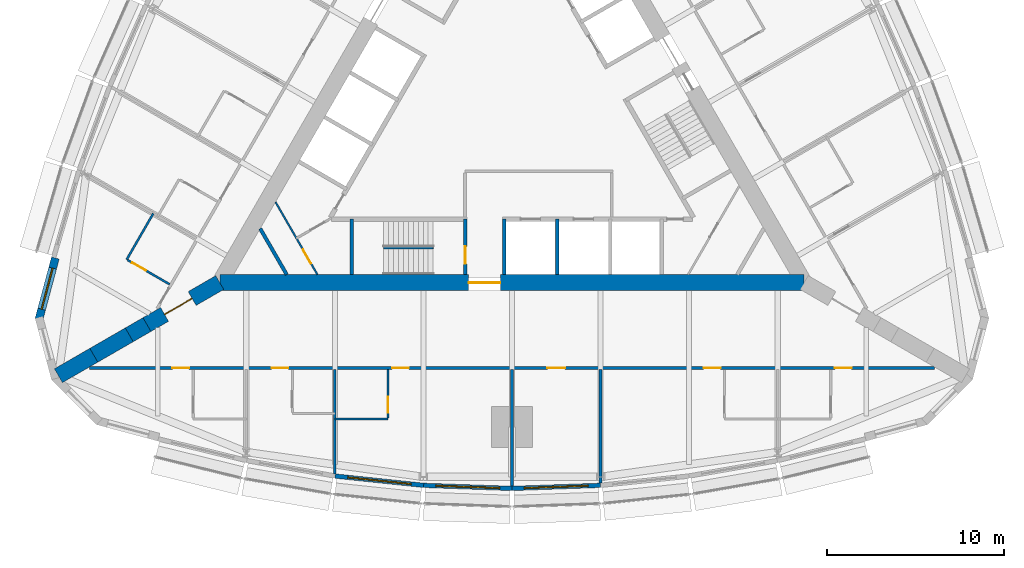
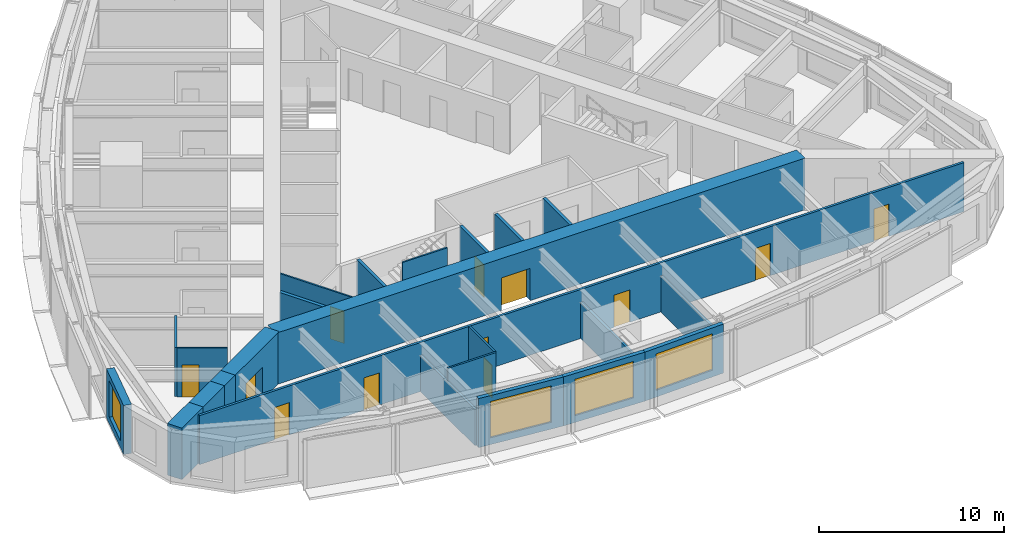
# One storey, part 8 of 14: 24 walls, 12 doors, 4 windows, 16 openings.
"""IFC4 building model written with IfcOpenShell, lengths in metres."""

from ifc_helpers import new_model, si_unit, direction, frame, frame_2d, origin, place, context, subcontext, project, spatial, rectangle, extrude, material, layer, layer_set, type_object, element, fill, save


model = new_model("IFC4")

# Units and contexts
model_context = context("Model", 3, precision=1e-05, world=origin(), true_north=direction((0.0, 1.0)))
body_context = subcontext(model_context, "Body", "Model", "MODEL_VIEW")
ifc_project = project(units=[si_unit("LENGTHUNIT", "METRE"), si_unit("AREAUNIT", "SQUARE_METRE"), si_unit("VOLUMEUNIT", "CUBIC_METRE"), si_unit("PLANEANGLEUNIT", "RADIAN"), si_unit("MASSUNIT", "GRAM", prefix="KILO")], contexts=[model_context])

# Site, building, storey
site_placement = place(None, origin())
site = spatial("IfcSite", under=ifc_project, at=site_placement, CompositionType="ELEMENT")
building_placement = place(site_placement, origin())
building = spatial("IfcBuilding", under=site, at=building_placement, Name="Trikona Tower", CompositionType="ELEMENT")
storey_placement = place(building_placement, frame((0.0, 0.0, 175.89990234375)))
storey = spatial("IfcBuildingStorey", under=building, at=storey_placement, Name="L47", CompositionType="ELEMENT", Elevation=175.89990234375)

# Wall
ifc_material_1 = material(Name="Metal stud and cement board", Category="gypsum")
ifc_layer_1 = layer(ifc_material_1, 0.1201171875)
ifc_layer_set_1 = layer_set([ifc_layer_1], Name="Bathroom wall 120")
wall_type_1 = type_object("IfcWallType", Name="Bathroom wall 120", PredefinedType="PLUMBINGWALL", material=ifc_layer_set_1)
wall_1_placement = place(storey_placement, frame((-10.0, -17.226318359375, 0.0), z_axis=(0.0, 0.0, 1.0), x_axis=(1.0, 0.0, 0.0)))
element("IfcWall", 1, at=wall_1_placement, inside=storey, type_object=wall_type_1, Name="Bathroom wall 4703", PredefinedType="PLUMBINGWALL", context=body_context, shape_type="SweptSolid", body=[
    extrude(rectangle(XDim=3.0, YDim=0.1201171875, at=frame_2d((1.5, 0.0))), origin(), (0.0, 0.0, 1.0), 3.235107421875),
])

# Wall, opening, door
wall_2_placement = place(storey_placement, frame((-7.0, -14.42626953125, 0.0), z_axis=(0.0, 0.0, 1.0), x_axis=(0.0, -1.0, 0.0)))
wall_2 = element("IfcWall", 2, at=wall_2_placement, inside=storey, type_object=wall_type_1, Name="Bathroom wall 4703", PredefinedType="PLUMBINGWALL", context=body_context, shape_type="SweptSolid", body=[
    extrude(rectangle(XDim=2.739990234375, YDim=0.1201171875, at=frame_2d((1.3701171875, 0.0))), origin(), (0.0, 0.0, 1.0), 3.235107421875),
])
opening_1_placement = place(wall_2_placement, frame((1.550048828125, 0.0, 0.0)))
opening_1 = element("IfcOpeningElement", 3, at=opening_1_placement, cuts=wall_2, Name="Opening D2", PredefinedType="OPENING", context=body_context, shape_type="SweptSolid", body=[
    extrude(rectangle(XDim=0.89990234375, YDim=2.1298828125, at=frame_2d((0.449951171875, 1.06494140625))), frame((0.0, 0.070068359375, 0.0), z_axis=(0.0, -1.0, 0.0), x_axis=(1.0, 0.0, 0.0)), (0.0, 0.0, 1.0), 0.14013671875),
])
ifc_material_2 = material(Name="Steel door frame with solid-core timber leaf", Category="steel")
door_type_1 = type_object("IfcDoorType", Name="Bathroom door 900x2130", OperationType="SLIDING_TO_LEFT", PredefinedType="DOOR", material=ifc_material_2)
door_1_placement = place(opening_1_placement, origin())
door_1 = element("IfcDoor", 4, at=door_1_placement, inside=storey, type_object=door_type_1, Name="Bathroom door 4703", OperationType="SLIDING_TO_LEFT", OverallHeight=2.1298828125, OverallWidth=0.89990234375, PredefinedType="DOOR", context=body_context, shape_type="SweptSolid", body=[
    extrude(rectangle(XDim=0.89990234375, YDim=2.1298828125, at=frame_2d((0.449951171875, 1.06494140625))), frame((0.0, 0.02490234375, 0.0), z_axis=(0.0, -1.0, 0.0), x_axis=(1.0, 0.0, 0.0)), (0.0, 0.0, 1.0), 0.050048828125),
])
fill(opening_1, door_1)

# Wall
wall_3_placement = place(storey_placement, frame((-20.25341796875, -5.627197265625, 0.0), z_axis=(0.0, 0.0, 1.0), x_axis=(-0.499990139034, -0.866031096941, 0.0)))
element("IfcWall", 5, at=wall_3_placement, inside=storey, type_object=wall_type_1, Name="Bathroom wall 4715", PredefinedType="PLUMBINGWALL", context=body_context, shape_type="SweptSolid", body=[
    extrude(rectangle(XDim=3.0, YDim=0.1201171875, at=frame_2d((1.5, 0.0))), origin(), (0.0, 0.0, 1.0), 3.235107421875),
])

# Wall, opening, door
wall_4_placement = place(storey_placement, frame((-19.32861328125, -9.625244140625, 0.0), z_axis=(0.0, 0.0, 1.0), x_axis=(-0.866035715982, 0.499982138324, 0.0)))
wall_4 = element("IfcWall", 6, at=wall_4_placement, inside=storey, type_object=wall_type_1, Name="Bathroom wall 4715", PredefinedType="PLUMBINGWALL", context=body_context, shape_type="SweptSolid", body=[
    extrude(rectangle(XDim=2.73974609375, YDim=0.1201171875, at=frame_2d((1.369873046875, 0.0))), origin(), (0.0, 0.0, 1.0), 3.235107421875),
])
opening_2_placement = place(wall_4_placement, frame((1.550048828125, 0.0, 0.0)))
opening_2 = element("IfcOpeningElement", 7, at=opening_2_placement, cuts=wall_4, Name="Opening D2", PredefinedType="OPENING", context=body_context, shape_type="SweptSolid", body=[
    extrude(rectangle(XDim=0.89990234375, YDim=2.1298828125, at=frame_2d((0.449951171875, 1.06494140625))), frame((0.0, 0.070068359375, 0.0), z_axis=(0.0, -1.0, 0.0), x_axis=(1.0, 0.0, 0.0)), (0.0, 0.0, 1.0), 0.14013671875),
])
door_2_placement = place(opening_2_placement, origin())
door_2 = element("IfcDoor", 8, at=door_2_placement, inside=storey, type_object=door_type_1, Name="Bathroom door 4715", OperationType="SLIDING_TO_LEFT", OverallHeight=2.1298828125, OverallWidth=0.89990234375, PredefinedType="DOOR", context=body_context, shape_type="SweptSolid", body=[
    extrude(rectangle(XDim=0.89990234375, YDim=2.1298828125, at=frame_2d((0.449951171875, 1.06494140625))), frame((0.0, 0.02490234375, 0.0), z_axis=(0.0, -1.0, 0.0), x_axis=(1.0, 0.0, 0.0)), (0.0, 0.0, 1.0), 0.050048828125),
])
fill(opening_2, door_2)

# Wall, opening, window
ifc_material_3 = material(Name="Brick-faced precast concrete", Category="masonry")
ifc_layer_2 = layer(ifc_material_3, 0.449951171875)
ifc_layer_set_2 = layer_set([ifc_layer_2], Name="Brick-faced corner wall 450")
wall_type_2 = type_object("IfcWallType", Name="Brick-faced corner wall 450", PredefinedType="SOLIDWALL", material=ifc_layer_set_2)
wall_5_placement = place(storey_placement, frame((-25.78271484375, -8.14111328125, 0.0), z_axis=(0.0, 0.0, 1.0), x_axis=(-0.258823421857, -0.965924653531, 0.0)))
wall_5 = element("IfcWall", 9, at=wall_5_placement, inside=storey, type_object=wall_type_2, Name="External wall L47-32", PredefinedType="SOLIDWALL", context=body_context, shape_type="SweptSolid", body=[
    extrude(rectangle(XDim=3.58642578125, YDim=0.449951171875, at=frame_2d((1.793212890625, 0.0))), origin(), (0.0, 0.0, 1.0), 3.235107421875),
])
opening_3_placement = place(wall_5_placement, frame((0.593017578125, 0.0, 0.449951171875)))
opening_3 = element("IfcOpeningElement", 10, at=opening_3_placement, cuts=wall_5, Name="Opening W2424", PredefinedType="OPENING", context=body_context, shape_type="SweptSolid", body=[
    extrude(rectangle(XDim=2.39990234375, YDim=2.39990234375, at=frame_2d((1.199951171875, 1.199951171875))), frame((0.0, 0.23486328125, 0.0), z_axis=(0.0, -1.0, 0.0), x_axis=(1.0, 0.0, 0.0)), (0.0, 0.0, 1.0), 0.469970703125),
])
ifc_material_4 = material(Name="Aluminium-framed double glazing", Category="aluminium")
window_type_1 = type_object("IfcWindowType", Name="Window 2400x2400", PartitioningType="SINGLE_PANEL", PredefinedType="WINDOW", material=ifc_material_4)
window_1_placement = place(opening_3_placement, origin())
window_1 = element("IfcWindow", 11, at=window_1_placement, inside=storey, type_object=window_type_1, Name="Window 4715", OverallHeight=2.39990234375, OverallWidth=2.39990234375, PartitioningType="SINGLE_PANEL", PredefinedType="WINDOW", context=body_context, shape_type="SweptSolid", body=[
    extrude(rectangle(XDim=2.39990234375, YDim=2.39990234375, at=frame_2d((1.199951171875, 1.199951171875))), frame((0.0, 0.030029296875, 0.0), z_axis=(0.0, -1.0, 0.0), x_axis=(1.0, 0.0, 0.0)), (0.0, 0.0, 1.0), 0.06005859375),
])
fill(opening_3, window_1)

# Wall, opening, door
ifc_material_5 = material(Name="Concrete f'c 10000 psi", Category="concrete")
ifc_layer_3 = layer(ifc_material_5, 0.89990234375)
ifc_layer_set_3 = layer_set([ifc_layer_3], Name="Buttress wall 900")
wall_type_3 = type_object("IfcWallType", Name="Buttress wall 900", PredefinedType="SHEAR", material=ifc_layer_set_3)
wall_6_placement = place(storey_placement, frame((-16.5, -9.5263671875, 0.0), z_axis=(0.0, 0.0, 1.0), x_axis=(-0.866031398331, -0.499989616998, 0.0)))
wall_6 = element("IfcWall", 12, at=wall_6_placement, inside=storey, type_object=wall_type_3, Name="Buttress wall 3", PredefinedType="SHEAR", context=body_context, shape_type="SweptSolid", body=[
    extrude(rectangle(XDim=4.74609375, YDim=0.89990234375, at=frame_2d((2.373046875, 0.0))), origin(), (0.0, 0.0, 1.0), 3.400146484375),
])
opening_4_placement = place(wall_6_placement, frame((1.800048828125, 0.0, 0.0)))
opening_4 = element("IfcOpeningElement", 13, at=opening_4_placement, cuts=wall_6, Name="Opening D10", PredefinedType="OPENING", context=body_context, shape_type="SweptSolid", body=[
    extrude(rectangle(XDim=1.800048828125, YDim=2.1298828125, at=frame_2d((0.89990234375, 1.06494140625))), frame((0.0, 0.4599609375, 0.0), z_axis=(0.0, -1.0, 0.0), x_axis=(1.0, 0.0, 0.0)), (0.0, 0.0, 1.0), 0.919921875),
])
ifc_material_6 = material(Name="Hollow metal door and frame", Category="steel")
door_type_2 = type_object("IfcDoorType", Name="Cross-corridor door pair 1800x2130", OperationType="DOUBLE_DOOR_DOUBLE_SWING", PredefinedType="DOOR", material=ifc_material_6)
door_3_placement = place(opening_4_placement, origin())
door_3 = element("IfcDoor", 14, at=door_3_placement, inside=storey, type_object=door_type_2, Name="Cross-corridor door 3", OperationType="DOUBLE_DOOR_DOUBLE_SWING", OverallHeight=2.1298828125, OverallWidth=1.800048828125, PredefinedType="DOOR", context=body_context, shape_type="SweptSolid", body=[
    extrude(rectangle(XDim=1.800048828125, YDim=2.1298828125, at=frame_2d((0.89990234375, 1.06494140625))), frame((0.0, 0.02490234375, 0.0), z_axis=(0.0, -1.0, 0.0), x_axis=(1.0, 0.0, 0.0)), (0.0, 0.0, 1.0), 0.050048828125),
])
fill(opening_4, door_3)

# Walls
wall_7_placement = place(storey_placement, frame((-20.6103515625, -11.8994140625, 0.0), z_axis=(0.0, 0.0, 1.0), x_axis=(-0.866009537788, -0.500027479704, 0.0)))
element("IfcWall", 15, at=wall_7_placement, inside=storey, type_object=wall_type_3, Name="Buttress wall 3 part 2", PredefinedType="SHEAR", context=body_context, shape_type="SweptSolid", body=[
    extrude(rectangle(XDim=1.15478515625, YDim=0.89990234375, at=frame_2d((0.577392578125, 0.0))), origin(), (0.0, 0.0, 1.0), 3.400146484375),
])
for number, where, z_axis, x_axis, name in (
    (16, (-21.6103515625, -12.476806640625, 0.0), (0.0, 0.0, 1.0), (-0.866055313784, -0.499948190782, 0.0), "Buttress wall 3 part 3"),
    (17, (-23.6103515625, -13.63134765625, 0.0), (0.0, 0.0, 1.0), (-0.866009537788, -0.500027479704, 0.0), "Buttress wall 3 part 4"),
):
    element("IfcWall", number, at=place(storey_placement, frame(where, z_axis=z_axis, x_axis=x_axis)), inside=storey, type_object=wall_type_3, Name=name, PredefinedType="SHEAR", context=body_context, shape_type="SweptSolid", body=[
        extrude(rectangle(XDim=2.309326171875, YDim=0.89990234375, at=frame_2d((1.15478515625, 0.0))), origin(), (0.0, 0.0, 1.0), 3.400146484375),
    ])

# Wall, opening, door
ifc_material_7 = material(Name="Concrete f'c 10000 psi", Category="concrete")
ifc_layer_4 = layer(ifc_material_7, 0.89990234375)
ifc_layer_set_4 = layer_set([ifc_layer_4], Name="Core wall 900")
wall_type_4 = type_object("IfcWallType", Name="Core wall 900", PredefinedType="SHEAR", material=ifc_layer_set_4)
wall_8_placement = place(storey_placement, frame((-16.5, -9.5263671875, 0.0), z_axis=(0.0, 0.0, 1.0), x_axis=(1.0, 0.0, 0.0)))
wall_8 = element("IfcWall", 18, at=wall_8_placement, inside=storey, type_object=wall_type_4, Name="Core wall A", PredefinedType="SHEAR", context=body_context, shape_type="SweptSolid", body=[
    extrude(rectangle(XDim=33.0, YDim=0.89990234375, at=frame_2d((16.5, 0.0))), origin(), (0.0, 0.0, 1.0), 3.400146484375),
])
opening_5_placement = place(wall_8_placement, frame((14.050048828125, 0.0, 0.0)))
opening_5 = element("IfcOpeningElement", 19, at=opening_5_placement, cuts=wall_8, Name="Opening D6", PredefinedType="OPENING", context=body_context, shape_type="SweptSolid", body=[
    extrude(rectangle(XDim=1.800048828125, YDim=2.1298828125, at=frame_2d((0.89990234375, 1.06494140625))), frame((0.0, 0.4599609375, 0.0), z_axis=(0.0, -1.0, 0.0), x_axis=(1.0, 0.0, 0.0)), (0.0, 0.0, 1.0), 0.919921875),
])
ifc_material_8 = material(Name="Hollow metal door and frame", Category="steel")
door_type_3 = type_object("IfcDoorType", Name="Lobby door pair 1800x2130", OperationType="DOUBLE_DOOR_SINGLE_SWING", PredefinedType="DOOR", material=ifc_material_8)
door_4_placement = place(opening_5_placement, origin())
door_4 = element("IfcDoor", 20, at=door_4_placement, inside=storey, type_object=door_type_3, Name="Fire service lift lobby door", OperationType="DOUBLE_DOOR_SINGLE_SWING", OverallHeight=2.1298828125, OverallWidth=1.800048828125, PredefinedType="DOOR", context=body_context, shape_type="SweptSolid", body=[
    extrude(rectangle(XDim=1.800048828125, YDim=2.1298828125, at=frame_2d((0.89990234375, 1.06494140625))), frame((0.0, 0.02490234375, 0.0), z_axis=(0.0, -1.0, 0.0), x_axis=(1.0, 0.0, 0.0)), (0.0, 0.0, 1.0), 0.050048828125),
])
fill(opening_5, door_4)

# Wall, openings, doors
ifc_material_9 = material(Name="Metal stud and gypsum board, 1-hour", Category="gypsum")
ifc_layer_5 = layer(ifc_material_9, 0.14990234375)
ifc_layer_set_5 = layer_set([ifc_layer_5], Name="Corridor wall 150")
wall_type_5 = type_object("IfcWallType", Name="Corridor wall 150", PredefinedType="PARTITIONING", material=ifc_layer_set_5)
wall_9_placement = place(storey_placement, frame((-23.857177734375, -14.351318359375, 0.0), z_axis=(0.0, 0.0, 1.0), x_axis=(1.0, 0.0, 0.0)))
wall_9 = element("IfcWall", 21, at=wall_9_placement, inside=storey, type_object=wall_type_5, Name="Corridor wall L47-1", PredefinedType="PARTITIONING", context=body_context, shape_type="SweptSolid", body=[
    extrude(rectangle(XDim=47.71435546875, YDim=0.14990234375, at=frame_2d((23.857177734375, 0.0))), origin(), (0.0, 0.0, 1.0), 3.235107421875),
])
opening_6_placement = place(wall_9_placement, frame((4.68212890625, 0.0, 0.0)))
opening_6 = element("IfcOpeningElement", 22, at=opening_6_placement, cuts=wall_9, Name="Opening D1", PredefinedType="OPENING", context=body_context, shape_type="SweptSolid", body=[
    extrude(rectangle(XDim=0.949951171875, YDim=2.1298828125, at=frame_2d((0.47509765625, 1.06494140625))), frame((0.0, 0.0849609375, 0.0), z_axis=(0.0, -1.0, 0.0), x_axis=(1.0, 0.0, 0.0)), (0.0, 0.0, 1.0), 0.169921875),
])
opening_7_placement = place(wall_9_placement, frame((10.281982421875, 0.0, 0.0)))
opening_7 = element("IfcOpeningElement", 23, at=opening_7_placement, cuts=wall_9, Name="Opening D1", PredefinedType="OPENING", context=body_context, shape_type="SweptSolid", body=[
    extrude(rectangle(XDim=0.949951171875, YDim=2.1298828125, at=frame_2d((0.47509765625, 1.06494140625))), frame((0.0, 0.0849609375, 0.0), z_axis=(0.0, -1.0, 0.0), x_axis=(1.0, 0.0, 0.0)), (0.0, 0.0, 1.0), 0.169921875),
])
opening_8_placement = place(wall_9_placement, frame((17.08203125, 0.0, 0.0)))
opening_8 = element("IfcOpeningElement", 24, at=opening_8_placement, cuts=wall_9, Name="Opening D1", PredefinedType="OPENING", context=body_context, shape_type="SweptSolid", body=[
    extrude(rectangle(XDim=0.949951171875, YDim=2.1298828125, at=frame_2d((0.47509765625, 1.06494140625))), frame((0.0, 0.0849609375, 0.0), z_axis=(0.0, -1.0, 0.0), x_axis=(1.0, 0.0, 0.0)), (0.0, 0.0, 1.0), 0.169921875),
])
opening_9_placement = place(wall_9_placement, frame((25.857177734375, 0.0, 0.0)))
opening_9 = element("IfcOpeningElement", 25, at=opening_9_placement, cuts=wall_9, Name="Opening D3", PredefinedType="OPENING", context=body_context, shape_type="SweptSolid", body=[
    extrude(rectangle(XDim=1.0, YDim=2.1298828125, at=frame_2d((0.5, 1.06494140625))), frame((0.0, 0.0849609375, 0.0), z_axis=(0.0, -1.0, 0.0), x_axis=(1.0, 0.0, 0.0)), (0.0, 0.0, 1.0), 0.169921875),
])
opening_10_placement = place(wall_9_placement, frame((34.68212890625, 0.0, 0.0)))
opening_10 = element("IfcOpeningElement", 26, at=opening_10_placement, cuts=wall_9, Name="Opening D1", PredefinedType="OPENING", context=body_context, shape_type="SweptSolid", body=[
    extrude(rectangle(XDim=0.949951171875, YDim=2.1298828125, at=frame_2d((0.47509765625, 1.06494140625))), frame((0.0, 0.0849609375, 0.0), z_axis=(0.0, -1.0, 0.0), x_axis=(1.0, 0.0, 0.0)), (0.0, 0.0, 1.0), 0.169921875),
])
opening_11_placement = place(wall_9_placement, frame((42.08203125, 0.0, 0.0)))
opening_11 = element("IfcOpeningElement", 27, at=opening_11_placement, cuts=wall_9, Name="Opening D1", PredefinedType="OPENING", context=body_context, shape_type="SweptSolid", body=[
    extrude(rectangle(XDim=0.949951171875, YDim=2.1298828125, at=frame_2d((0.47509765625, 1.06494140625))), frame((0.0, 0.0849609375, 0.0), z_axis=(0.0, -1.0, 0.0), x_axis=(1.0, 0.0, 0.0)), (0.0, 0.0, 1.0), 0.169921875),
])
ifc_material_10 = material(Name="Steel door frame with solid-core timber leaf", Category="steel")
door_type_4 = type_object("IfcDoorType", Name="Guest room door 950x2130", OperationType="SINGLE_SWING_LEFT", PredefinedType="DOOR", material=ifc_material_10)
door_5_placement = place(opening_6_placement, origin())
door_5 = element("IfcDoor", 28, at=door_5_placement, inside=storey, type_object=door_type_4, Name="Room door 4701", OperationType="SINGLE_SWING_LEFT", OverallHeight=2.1298828125, OverallWidth=0.949951171875, PredefinedType="DOOR", context=body_context, shape_type="SweptSolid", body=[
    extrude(rectangle(XDim=0.949951171875, YDim=2.1298828125, at=frame_2d((0.47509765625, 1.06494140625))), frame((0.0, 0.02490234375, 0.0), z_axis=(0.0, -1.0, 0.0), x_axis=(1.0, 0.0, 0.0)), (0.0, 0.0, 1.0), 0.050048828125),
])
fill(opening_6, door_5)
door_6_placement = place(opening_7_placement, origin())
door_6 = element("IfcDoor", 29, at=door_6_placement, inside=storey, type_object=door_type_4, Name="Room door 4702", OperationType="SINGLE_SWING_RIGHT", OverallHeight=2.1298828125, OverallWidth=0.949951171875, PredefinedType="DOOR", context=body_context, shape_type="SweptSolid", body=[
    extrude(rectangle(XDim=0.949951171875, YDim=2.1298828125, at=frame_2d((0.47509765625, 1.06494140625))), frame((0.0, 0.02490234375, 0.0), z_axis=(0.0, -1.0, 0.0), x_axis=(1.0, 0.0, 0.0)), (0.0, 0.0, 1.0), 0.050048828125),
])
fill(opening_7, door_6)
door_7_placement = place(opening_8_placement, origin())
door_7 = element("IfcDoor", 30, at=door_7_placement, inside=storey, type_object=door_type_4, Name="Room door 4703", OperationType="SINGLE_SWING_LEFT", OverallHeight=2.1298828125, OverallWidth=0.949951171875, PredefinedType="DOOR", context=body_context, shape_type="SweptSolid", body=[
    extrude(rectangle(XDim=0.949951171875, YDim=2.1298828125, at=frame_2d((0.47509765625, 1.06494140625))), frame((0.0, 0.02490234375, 0.0), z_axis=(0.0, -1.0, 0.0), x_axis=(1.0, 0.0, 0.0)), (0.0, 0.0, 1.0), 0.050048828125),
])
fill(opening_8, door_7)
door_8_placement = place(opening_10_placement, origin())
door_8 = element("IfcDoor", 31, at=door_8_placement, inside=storey, type_object=door_type_4, Name="Room door 4704", OperationType="SINGLE_SWING_LEFT", OverallHeight=2.1298828125, OverallWidth=0.949951171875, PredefinedType="DOOR", context=body_context, shape_type="SweptSolid", body=[
    extrude(rectangle(XDim=0.949951171875, YDim=2.1298828125, at=frame_2d((0.47509765625, 1.06494140625))), frame((0.0, 0.02490234375, 0.0), z_axis=(0.0, -1.0, 0.0), x_axis=(1.0, 0.0, 0.0)), (0.0, 0.0, 1.0), 0.050048828125),
])
fill(opening_10, door_8)
door_9_placement = place(opening_11_placement, origin())
door_9 = element("IfcDoor", 32, at=door_9_placement, inside=storey, type_object=door_type_4, Name="Room door 4705", OperationType="SINGLE_SWING_RIGHT", OverallHeight=2.1298828125, OverallWidth=0.949951171875, PredefinedType="DOOR", context=body_context, shape_type="SweptSolid", body=[
    extrude(rectangle(XDim=0.949951171875, YDim=2.1298828125, at=frame_2d((0.47509765625, 1.06494140625))), frame((0.0, 0.02490234375, 0.0), z_axis=(0.0, -1.0, 0.0), x_axis=(1.0, 0.0, 0.0)), (0.0, 0.0, 1.0), 0.050048828125),
])
fill(opening_11, door_9)
ifc_material_11 = material(Name="Steel door frame with solid-core timber leaf", Category="steel")
door_type_5 = type_object("IfcDoorType", Name="Room door 1000x2130", OperationType="SINGLE_SWING_LEFT", PredefinedType="DOOR", material=ifc_material_11)
door_10_placement = place(opening_9_placement, origin())
door_10 = element("IfcDoor", 33, at=door_10_placement, inside=storey, type_object=door_type_5, Name="Door Housekeeping pantry", OperationType="SINGLE_SWING_RIGHT", OverallHeight=2.1298828125, OverallWidth=1.0, PredefinedType="DOOR", context=body_context, shape_type="SweptSolid", body=[
    extrude(rectangle(XDim=1.0, YDim=2.1298828125, at=frame_2d((0.5, 1.06494140625))), frame((0.0, 0.02490234375, 0.0), z_axis=(0.0, -1.0, 0.0), x_axis=(1.0, 0.0, 0.0)), (0.0, 0.0, 1.0), 0.050048828125),
])
fill(opening_9, door_10)

# Wall, opening, window
ifc_material_12 = material(Name="Insulated precast concrete spandrel panel", Category="concrete")
ifc_layer_6 = layer(ifc_material_12, 0.25)
ifc_layer_set_6 = layer_set([ifc_layer_6], Name="Inner skin wall 250")
wall_type_6 = type_object("IfcWallType", Name="Inner skin wall 250", PredefinedType="STANDARD", material=ifc_layer_set_6)
wall_10_placement = place(storey_placement, frame((-9.98681640625, -20.450927734375, 0.0), z_axis=(0.0, 0.0, 1.0), x_axis=(0.994534683851, -0.104406717299, 0.0)))
wall_10 = element("IfcWall", 34, at=wall_10_placement, inside=storey, type_object=wall_type_6, Name="External wall L47-02", PredefinedType="STANDARD", context=body_context, shape_type="SweptSolid", body=[
    extrude(rectangle(XDim=5.027587890625, YDim=0.25, at=frame_2d((2.513671875, 0.0))), origin(), (0.0, 0.0, 1.0), 3.235107421875),
])
opening_12_placement = place(wall_10_placement, frame((0.713623046875, 0.0, 0.449951171875)))
opening_12 = element("IfcOpeningElement", 35, at=opening_12_placement, cuts=wall_10, Name="Opening W3624", PredefinedType="OPENING", context=body_context, shape_type="SweptSolid", body=[
    extrude(rectangle(XDim=3.60009765625, YDim=2.39990234375, at=frame_2d((1.800048828125, 1.199951171875))), frame((0.0, 0.135009765625, 0.0), z_axis=(0.0, -1.0, 0.0), x_axis=(1.0, 0.0, 0.0)), (0.0, 0.0, 1.0), 0.27001953125),
])
ifc_material_13 = material(Name="Aluminium-framed double glazing", Category="aluminium")
window_type_2 = type_object("IfcWindowType", Name="Window 3600x2400", PartitioningType="SINGLE_PANEL", PredefinedType="WINDOW", material=ifc_material_13)
window_2_placement = place(opening_12_placement, origin())
window_2 = element("IfcWindow", 36, at=window_2_placement, inside=storey, type_object=window_type_2, Name="Window 4703", OverallHeight=2.39990234375, OverallWidth=3.60009765625, PartitioningType="SINGLE_PANEL", PredefinedType="WINDOW", context=body_context, shape_type="SweptSolid", body=[
    extrude(rectangle(XDim=3.60009765625, YDim=2.39990234375, at=frame_2d((1.800048828125, 1.199951171875))), frame((0.0, 0.030029296875, 0.0), z_axis=(0.0, -1.0, 0.0), x_axis=(1.0, 0.0, 0.0)), (0.0, 0.0, 1.0), 0.06005859375),
])
fill(opening_12, window_2)

wall_11_placement = place(storey_placement, frame((-4.99560546875, -20.975341796875, 0.0), z_axis=(0.0, 0.0, 1.0), x_axis=(0.999387720943, -0.034988329879, 0.0)))
wall_11 = element("IfcWall", 37, at=wall_11_placement, inside=storey, type_object=wall_type_6, Name="External wall L47-03", PredefinedType="STANDARD", context=body_context, shape_type="SweptSolid", body=[
    extrude(rectangle(XDim=5.003173828125, YDim=0.25, at=frame_2d((2.50146484375, 0.0))), origin(), (0.0, 0.0, 1.0), 3.235107421875),
])
opening_13_placement = place(wall_11_placement, frame((0.701416015625, 0.0, 0.449951171875)))
opening_13 = element("IfcOpeningElement", 38, at=opening_13_placement, cuts=wall_11, Name="Opening W3624", PredefinedType="OPENING", context=body_context, shape_type="SweptSolid", body=[
    extrude(rectangle(XDim=3.60009765625, YDim=2.39990234375, at=frame_2d((1.800048828125, 1.199951171875))), frame((0.0, 0.135009765625, 0.0), z_axis=(0.0, -1.0, 0.0), x_axis=(1.0, 0.0, 0.0)), (0.0, 0.0, 1.0), 0.27001953125),
])
window_3_placement = place(opening_13_placement, origin())
window_3 = element("IfcWindow", 39, at=window_3_placement, inside=storey, type_object=window_type_2, Name="Window 4703", OverallHeight=2.39990234375, OverallWidth=3.60009765625, PartitioningType="SINGLE_PANEL", PredefinedType="WINDOW", context=body_context, shape_type="SweptSolid", body=[
    extrude(rectangle(XDim=3.60009765625, YDim=2.39990234375, at=frame_2d((1.800048828125, 1.199951171875))), frame((0.0, 0.030029296875, 0.0), z_axis=(0.0, -1.0, 0.0), x_axis=(1.0, 0.0, 0.0)), (0.0, 0.0, 1.0), 0.06005859375),
])
fill(opening_13, window_3)

wall_12_placement = place(storey_placement, frame((-0.00439453125, -21.150390625, 0.0), z_axis=(0.0, 0.0, 1.0), x_axis=(0.999387720943, 0.034988329879, 0.0)))
wall_12 = element("IfcWall", 40, at=wall_12_placement, inside=storey, type_object=wall_type_6, Name="External wall L47-04", PredefinedType="STANDARD", context=body_context, shape_type="SweptSolid", body=[
    extrude(rectangle(XDim=5.003173828125, YDim=0.25, at=frame_2d((2.50146484375, 0.0))), origin(), (0.0, 0.0, 1.0), 3.235107421875),
])
opening_14_placement = place(wall_12_placement, frame((0.701416015625, 0.0, 0.449951171875)))
opening_14 = element("IfcOpeningElement", 41, at=opening_14_placement, cuts=wall_12, Name="Opening W3624", PredefinedType="OPENING", context=body_context, shape_type="SweptSolid", body=[
    extrude(rectangle(XDim=3.60009765625, YDim=2.39990234375, at=frame_2d((1.800048828125, 1.199951171875))), frame((0.0, 0.135009765625, 0.0), z_axis=(0.0, -1.0, 0.0), x_axis=(1.0, 0.0, 0.0)), (0.0, 0.0, 1.0), 0.27001953125),
])
window_4_placement = place(opening_14_placement, origin())
window_4 = element("IfcWindow", 42, at=window_4_placement, inside=storey, type_object=window_type_2, Name="Window L47-HKP", OverallHeight=2.39990234375, OverallWidth=3.60009765625, PartitioningType="SINGLE_PANEL", PredefinedType="WINDOW", context=body_context, shape_type="SweptSolid", body=[
    extrude(rectangle(XDim=3.60009765625, YDim=2.39990234375, at=frame_2d((1.800048828125, 1.199951171875))), frame((0.0, 0.030029296875, 0.0), z_axis=(0.0, -1.0, 0.0), x_axis=(1.0, 0.0, 0.0)), (0.0, 0.0, 1.0), 0.06005859375),
])
fill(opening_14, window_4)

# Walls
ifc_material_14 = material(Name="Metal stud and gypsum board, 1-hour acoustic", Category="gypsum")
ifc_layer_7 = layer(ifc_material_14, 0.14990234375)
ifc_layer_set_7 = layer_set([ifc_layer_7], Name="Party wall 150")
wall_type_7 = type_object("IfcWallType", Name="Party wall 150", PredefinedType="PARTITIONING", material=ifc_layer_set_7)
wall_13_placement = place(storey_placement, frame((-10.0, -14.42626953125, 0.0), z_axis=(0.0, 0.0, 1.0), x_axis=(0.0, -1.0, 0.0)))
element("IfcWall", 43, at=wall_13_placement, inside=storey, type_object=wall_type_7, Name="Partition L47 F1 u-10", PredefinedType="PARTITIONING", context=body_context, shape_type="SweptSolid", body=[
    extrude(rectangle(XDim=5.89501953125, YDim=0.14990234375, at=frame_2d((2.947509765625, 0.0))), origin(), (0.0, 0.0, 1.0), 2.389404296875),
])
wall_14_placement = place(storey_placement, frame((0.0, -14.42626953125, 0.0), z_axis=(0.0, 0.0, 1.0), x_axis=(0.0, -1.0, 0.0)))
element("IfcWall", 44, at=wall_14_placement, inside=storey, type_object=wall_type_7, Name="Partition L47 F1 u-9.86076e-31", PredefinedType="PARTITIONING", context=body_context, shape_type="SweptSolid", body=[
    extrude(rectangle(XDim=6.5986328125, YDim=0.14990234375, at=frame_2d((3.29931640625, 0.0))), origin(), (0.0, 0.0, 1.0), 2.389404296875),
])
wall_15_placement = place(storey_placement, frame((5.0, -14.42626953125, 0.0), z_axis=(0.0, 0.0, 1.0), x_axis=(0.0, -1.0, 0.0)))
element("IfcWall", 45, at=wall_15_placement, inside=storey, type_object=wall_type_7, Name="Partition L47 F1 u5", PredefinedType="PARTITIONING", context=body_context, shape_type="SweptSolid", body=[
    extrude(rectangle(XDim=6.422607421875, YDim=0.14990234375, at=frame_2d((3.21142578125, 0.0))), origin(), (0.0, 0.0, 1.0), 2.389404296875),
])
ifc_material_15 = material(Name="Concrete f'c 8000 psi", Category="concrete")
ifc_layer_8 = layer(ifc_material_15, 0.199951171875)
ifc_layer_set_8 = layer_set([ifc_layer_8], Name="Shaft wall 200")
wall_type_8 = type_object("IfcWallType", Name="Shaft wall 200", PredefinedType="SOLIDWALL", material=ifc_layer_set_8)
for number, where, z_axis, x_axis, name in (
    (46, (-0.449951171875, -5.951416015625, 0.0), (0.0, 0.0, 1.0), (0.0, -1.0, 0.0), "Shaft wall A3"),
    (47, (2.550048828125, -5.951416015625, 0.0), (0.0, 0.0, 1.0), (0.0, -1.0, 0.0), "Shaft wall A4"),
):
    element("IfcWall", number, at=place(storey_placement, frame(where, z_axis=z_axis, x_axis=x_axis)), inside=storey, type_object=wall_type_8, Name=name, PredefinedType="SOLIDWALL", context=body_context, shape_type="SweptSolid", body=[
        extrude(rectangle(XDim=3.125, YDim=0.199951171875, at=frame_2d((1.5625, 0.0))), origin(), (0.0, 0.0, 1.0), 3.235107421875),
    ])
wall_16_placement = place(storey_placement, frame((-12.718505859375, -9.076416015625, 0.0), z_axis=(0.0, 0.0, 1.0), x_axis=(-0.499952404951, 0.866052881055, 0.0)))
element("IfcWall", 48, at=wall_16_placement, inside=storey, type_object=wall_type_8, Name="Riser wall L47-RS3", PredefinedType="SOLIDWALL", context=body_context, shape_type="SweptSolid", body=[
    extrude(rectangle(XDim=3.002197265625, YDim=0.199951171875, at=frame_2d((1.5009765625, 0.0))), origin(), (0.0, 0.0, 1.0), 3.235107421875),
])
ifc_material_16 = material(Name="Concrete f'c 8000 psi", Category="concrete")
ifc_layer_9 = layer(ifc_material_16, 0.199951171875)
ifc_layer_set_9 = layer_set([ifc_layer_9], Name="Shaft wall 200 load-bearing")
wall_type_9 = type_object("IfcWallType", Name="Shaft wall 200 load-bearing", PredefinedType="SOLIDWALL", material=ifc_layer_set_9)
wall_17_placement = place(storey_placement, frame((-9.050048828125, -5.951416015625, 0.0), z_axis=(0.0, 0.0, 1.0), x_axis=(0.0, -1.0, 0.0)))
element("IfcWall", 49, at=wall_17_placement, inside=storey, type_object=wall_type_9, Name="Shaft wall A1", PredefinedType="SOLIDWALL", context=body_context, shape_type="SweptSolid", body=[
    extrude(rectangle(XDim=3.125, YDim=0.199951171875, at=frame_2d((1.5625, 0.0))), origin(), (0.0, 0.0, 1.0), 3.235107421875),
])

# Wall, opening, door
wall_18_placement = place(storey_placement, frame((-2.64990234375, -5.951416015625, 0.0), z_axis=(0.0, 0.0, 1.0), x_axis=(0.0, -1.0, 0.0)))
wall_18 = element("IfcWall", 50, at=wall_18_placement, inside=storey, type_object=wall_type_9, Name="Shaft wall A2", PredefinedType="SOLIDWALL", context=body_context, shape_type="SweptSolid", body=[
    extrude(rectangle(XDim=3.125, YDim=0.199951171875, at=frame_2d((1.5625, 0.0))), origin(), (0.0, 0.0, 1.0), 3.235107421875),
])
opening_15_placement = place(wall_18_placement, frame((1.52490234375, 0.0, 0.0)))
opening_15 = element("IfcOpeningElement", 51, at=opening_15_placement, cuts=wall_18, Name="Opening D5", PredefinedType="OPENING", context=body_context, shape_type="SweptSolid", body=[
    extrude(rectangle(XDim=1.0, YDim=2.1298828125, at=frame_2d((0.5, 1.06494140625))), frame((0.0, 0.10986328125, 0.0), z_axis=(0.0, -1.0, 0.0), x_axis=(1.0, 0.0, 0.0)), (0.0, 0.0, 1.0), 0.219970703125),
])
ifc_material_17 = material(Name="Hollow metal door and frame", Category="steel")
door_type_6 = type_object("IfcDoorType", Name="Stair door 1000x2130", OperationType="SINGLE_SWING_LEFT", PredefinedType="DOOR", material=ifc_material_17)
door_11_placement = place(opening_15_placement, origin())
door_11 = element("IfcDoor", 52, at=door_11_placement, inside=storey, type_object=door_type_6, Name="Stair A door", OperationType="SINGLE_SWING_RIGHT", OverallHeight=2.1298828125, OverallWidth=1.0, PredefinedType="DOOR", context=body_context, shape_type="SweptSolid", body=[
    extrude(rectangle(XDim=1.0, YDim=2.1298828125, at=frame_2d((0.5, 1.06494140625))), frame((0.0, 0.02490234375, 0.0), z_axis=(0.0, -1.0, 0.0), x_axis=(1.0, 0.0, 0.0)), (0.0, 0.0, 1.0), 0.050048828125),
])
fill(opening_15, door_11)

# Wall
ifc_material_18 = material(Name="Concrete f'c 5000 psi", Category="concrete")
ifc_layer_10 = layer(ifc_material_18, 0.10009765625)
ifc_layer_set_10 = layer_set([ifc_layer_10], Name="Stair spine wall 100")
wall_type_10 = type_object("IfcWallType", Name="Stair spine wall 100", PredefinedType="SOLIDWALL", material=ifc_layer_set_10)
wall_19_placement = place(storey_placement, frame((-7.2470703125, -7.576416015625, 0.0), z_axis=(0.0, 0.0, 1.0), x_axis=(1.0, 0.0, 0.0)))
element("IfcWall", 53, at=wall_19_placement, inside=storey, type_object=wall_type_10, Name="Stair A spine wall L47", PredefinedType="SOLIDWALL", context=body_context, shape_type="SweptSolid", body=[
    extrude(rectangle(XDim=2.794189453125, YDim=0.10009765625, at=frame_2d((1.39697265625, 0.0))), origin(), (0.0, 0.0, 1.0), 3.400146484375),
])

# Wall, opening, door
ifc_material_19 = material(Name="Metal stud and gypsum board, acoustic", Category="gypsum")
ifc_layer_11 = layer(ifc_material_19, 0.10009765625)
ifc_layer_set_11 = layer_set([ifc_layer_11], Name="Suite partition 100")
wall_type_11 = type_object("IfcWallType", Name="Suite partition 100", PredefinedType="PARTITIONING", material=ifc_layer_set_11)
wall_20_placement = place(storey_placement, frame((-10.986328125, -9.076416015625, 0.0), z_axis=(0.0, 0.0, 1.0), x_axis=(-0.499999210213, 0.866025859768, 0.0)))
wall_20 = element("IfcWall", 54, at=wall_20_placement, inside=storey, type_object=wall_type_11, Name="Store partition L47-RS3", PredefinedType="PARTITIONING", context=body_context, shape_type="SweptSolid", body=[
    extrude(rectangle(XDim=4.734375, YDim=0.10009765625, at=frame_2d((2.3671875, 0.0))), origin(), (0.0, 0.0, 1.0), 3.235107421875),
])
opening_16_placement = place(wall_20_placement, frame((0.733642578125, 0.0, 0.0)))
opening_16 = element("IfcOpeningElement", 55, at=opening_16_placement, cuts=wall_20, Name="Opening D15", PredefinedType="OPENING", context=body_context, shape_type="SweptSolid", body=[
    extrude(rectangle(XDim=0.89990234375, YDim=2.1298828125, at=frame_2d((0.449951171875, 1.06494140625))), frame((0.0, 0.06005859375, 0.0), z_axis=(0.0, -1.0, 0.0), x_axis=(1.0, 0.0, 0.0)), (0.0, 0.0, 1.0), 0.1201171875),
])
ifc_material_20 = material(Name="Steel door frame with solid-core timber leaf", Category="steel")
door_type_7 = type_object("IfcDoorType", Name="Store door 900x2130", OperationType="SINGLE_SWING_LEFT", PredefinedType="DOOR", material=ifc_material_20)
door_12_placement = place(opening_16_placement, origin())
door_12 = element("IfcDoor", 56, at=door_12_placement, inside=storey, type_object=door_type_7, Name="Door Storage STO", OperationType="SINGLE_SWING_LEFT", OverallHeight=2.1298828125, OverallWidth=0.89990234375, PredefinedType="DOOR", context=body_context, shape_type="SweptSolid", body=[
    extrude(rectangle(XDim=0.89990234375, YDim=2.1298828125, at=frame_2d((0.449951171875, 1.06494140625))), frame((0.0, 0.02490234375, 0.0), z_axis=(0.0, -1.0, 0.0), x_axis=(1.0, 0.0, 0.0)), (0.0, 0.0, 1.0), 0.050048828125),
])
fill(opening_16, door_12)

save(model, "model.ifc")
